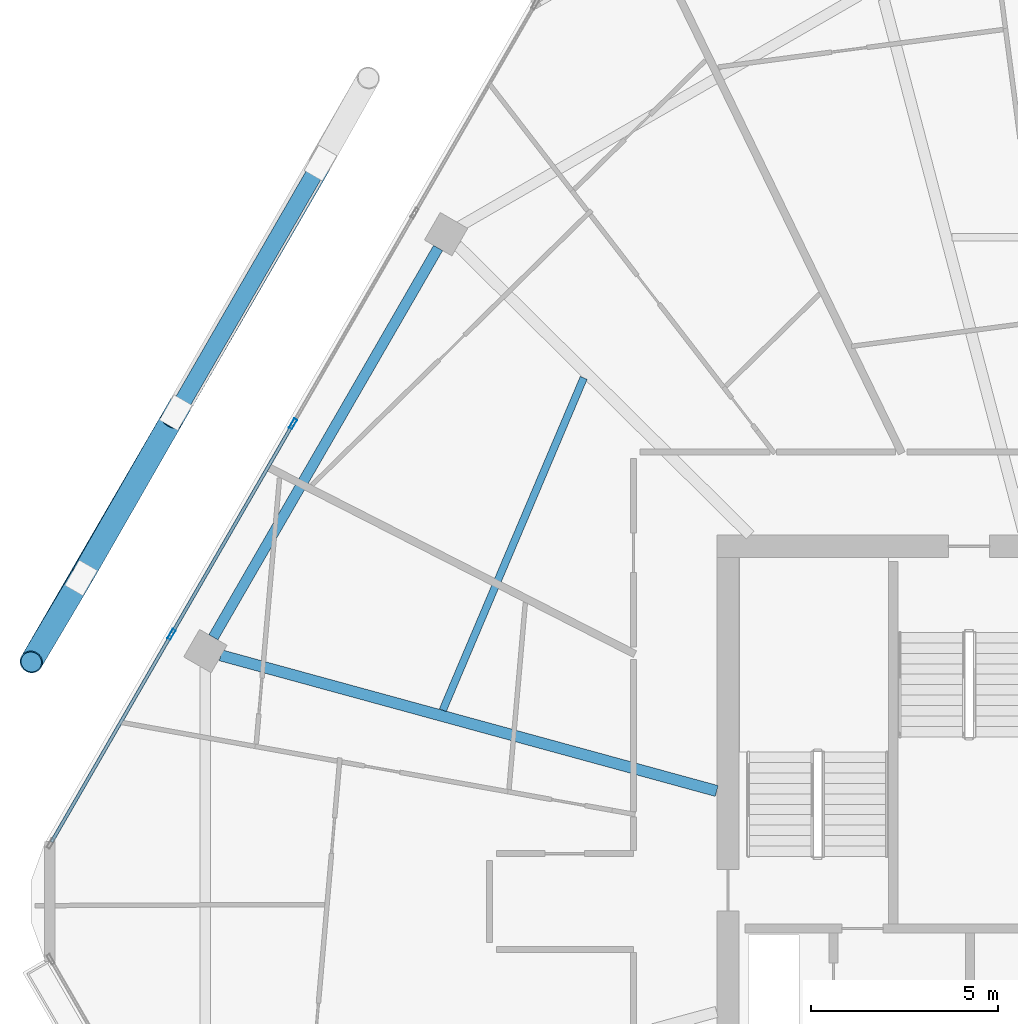
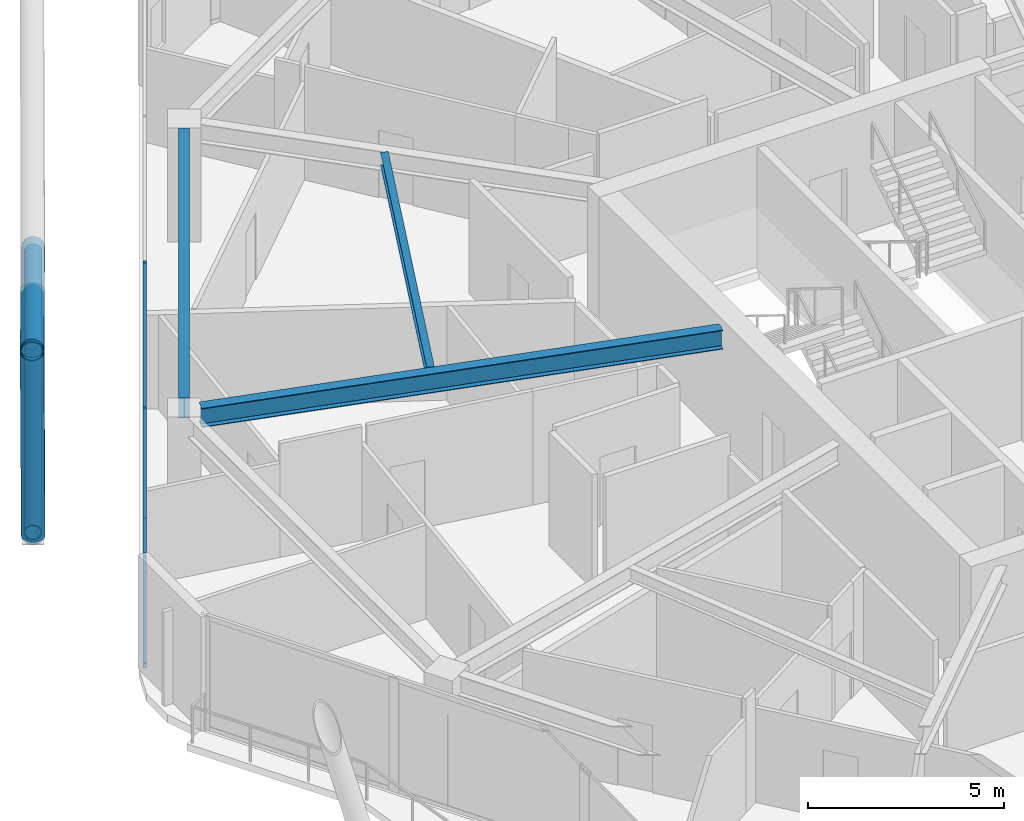
# One storey, part 12 of 28: 10 members, 3 beams, 1 element without a shape of its own.
"""IFC4 building model written with IfcOpenShell, lengths in metres."""

from ifc_helpers import new_model, si_unit, direction, frame, origin, origin_2d, place, context, subcontext, project, spatial, hollow_rectangle, hollow_circle, i_section, extrude, material, material_profile, profile_set, type_object, element, aggregate, save


model = new_model("IFC4")

# Units and contexts
model_context = context("Model", 3, precision=1e-05, world=origin(), true_north=direction((0.0, 1.0)))
body_context = subcontext(model_context, "Body", "Model", "MODEL_VIEW")
ifc_project = project(units=[si_unit("LENGTHUNIT", "METRE"), si_unit("AREAUNIT", "SQUARE_METRE"), si_unit("VOLUMEUNIT", "CUBIC_METRE"), si_unit("PLANEANGLEUNIT", "RADIAN"), si_unit("MASSUNIT", "GRAM", prefix="KILO")], contexts=[model_context])

# Site, building, storey
site_placement = place(None, origin())
site = spatial("IfcSite", under=ifc_project, at=site_placement, CompositionType="ELEMENT")
building_placement = place(site_placement, origin())
building = spatial("IfcBuilding", under=site, at=building_placement, Name="Zuhravey Tower", CompositionType="ELEMENT")
storey_placement = place(building_placement, frame((0.0, 0.0, 284.39990234375)))
storey = spatial("IfcBuildingStorey", under=building, at=storey_placement, Name="L72", CompositionType="ELEMENT", Elevation=284.39990234375)

# Curtain wall, members
ifc_material_1 = material(Name="Thermally broken anodised aluminium", Category="aluminium")
curtain_wall_type = type_object("IfcCurtainWallType", Name="Zone 3-4 High-Rise Curtain Wall CW4", PredefinedType="NOTDEFINED", material=ifc_material_1)
curtain_wall_placement = place(storey_placement, origin())
curtain_wall = element("IfcCurtainWall", 1, at=curtain_wall_placement, inside=storey, type_object=curtain_wall_type, Name="L72 CW4 CW-L72-F3-1", PredefinedType="NOTDEFINED")
ifc_material_2 = material(Name="Anodised aluminium", Category="aluminium")
ifc_material_profile_1 = material_profile(ifc_material_2, hollow_rectangle(XDim=0.090087890625, YDim=0.284912109375, WallThickness=0.0048828125, at=origin_2d()), Name="ALU-RHS-90x285x5")
ifc_profile_set_1 = profile_set([ifc_material_profile_1], Name="Anodised aluminium")
member_type_1 = type_object("IfcMemberType", Name="Curtain-Wall Mullion 90x180", PredefinedType="MULLION", material=ifc_profile_set_1)
member_1_placement = place(storey_placement, frame((10.608154296875, 39.147216796875, 0.0), z_axis=(0.0, 0.0, 1.0), x_axis=(-0.866024851021, 0.500000957414, 0.0)))
member_1 = element("IfcMember", 2, at=member_1_placement, type_object=member_type_1, Name="CW4 mullion 2", PredefinedType="MULLION", context=body_context, shape_type="SweptSolid", body=[
    extrude(hollow_rectangle(XDim=0.090087890625, YDim=0.284912109375, WallThickness=0.0048828125, at=origin_2d()), origin(), (0.0, 0.0, 1.0), 3.550048828125),
])
member_2_placement = place(storey_placement, frame((13.861328125, 44.78173828125, 0.0), z_axis=(0.0, 0.0, 1.0), x_axis=(-0.866024851021, 0.500000957414, 0.0)))
member_2 = element("IfcMember", 3, at=member_2_placement, type_object=member_type_1, Name="CW4 mullion 3", PredefinedType="MULLION", context=body_context, shape_type="SweptSolid", body=[
    extrude(hollow_rectangle(XDim=0.090087890625, YDim=0.284912109375, WallThickness=0.0048828125, at=origin_2d()), origin(), (0.0, 0.0, 1.0), 3.550048828125),
])
ifc_material_profile_2 = material_profile(ifc_material_2, hollow_rectangle(XDim=0.090087890625, YDim=0.14990234375, WallThickness=0.0048828125, at=origin_2d()), Name="ALU-RHS-90x150x5")
ifc_profile_set_2 = profile_set([ifc_material_profile_2], Name="Anodised aluminium")
member_type_2 = type_object("IfcMemberType", Name="Curtain-Wall Transom 90x150", PredefinedType="USERDEFINED", material=ifc_profile_set_2)
member_3_placement = place(storey_placement, frame((7.39990234375, 33.59033203125, 0.045166015625), z_axis=(0.500008810174, 0.866020317169, 0.0), x_axis=(-0.866020317169, 0.500008810174, 0.0)))
member_3 = element("IfcMember", 4, at=member_3_placement, type_object=member_type_2, Name="CW4 transom 1.1", ObjectType="TRANSOM", PredefinedType="USERDEFINED", context=body_context, shape_type="SweptSolid", body=[
    extrude(hollow_rectangle(XDim=0.090087890625, YDim=0.14990234375, WallThickness=0.0048828125, at=origin_2d()), origin(), (0.0, 0.0, 1.0), 6.37158203125),
])
member_4_placement = place(storey_placement, frame((7.39990234375, 33.59033203125, 3.505126953125), z_axis=(0.500008810174, 0.866020317169, 0.0), x_axis=(-0.866020317169, 0.500008810174, 0.0)))
member_4 = element("IfcMember", 5, at=member_4_placement, type_object=member_type_2, Name="CW4 transom 1.2", ObjectType="TRANSOM", PredefinedType="USERDEFINED", context=body_context, shape_type="SweptSolid", body=[
    extrude(hollow_rectangle(XDim=0.090087890625, YDim=0.14990234375, WallThickness=0.0048828125, at=origin_2d()), origin(), (0.0, 0.0, 1.0), 6.37158203125),
])
member_5_placement = place(storey_placement, frame((10.630615234375, 39.18603515625, 0.045166015625), z_axis=(0.499998017366, 0.866026548456, 0.0), x_axis=(-0.866026548456, 0.499998017366, 0.0)))
member_5 = element("IfcMember", 6, at=member_5_placement, type_object=member_type_2, Name="CW4 transom 2.1", ObjectType="TRANSOM", PredefinedType="USERDEFINED", context=body_context, shape_type="SweptSolid", body=[
    extrude(hollow_rectangle(XDim=0.090087890625, YDim=0.14990234375, WallThickness=0.0048828125, at=origin_2d()), origin(), (0.0, 0.0, 1.0), 6.41650390625),
])
member_6_placement = place(storey_placement, frame((10.630615234375, 39.18603515625, 3.505126953125), z_axis=(0.499998017366, 0.866026548456, 0.0), x_axis=(-0.866026548456, 0.499998017366, 0.0)))
member_6 = element("IfcMember", 7, at=member_6_placement, type_object=member_type_2, Name="CW4 transom 2.2", ObjectType="TRANSOM", PredefinedType="USERDEFINED", context=body_context, shape_type="SweptSolid", body=[
    extrude(hollow_rectangle(XDim=0.090087890625, YDim=0.14990234375, WallThickness=0.0048828125, at=origin_2d()), origin(), (0.0, 0.0, 1.0), 6.41650390625),
])
aggregate(curtain_wall, [member_1, member_2, member_3, member_4, member_5, member_6])

# Members
ifc_material_3 = material(Name="Steel SM355", Category="steel")
ifc_material_profile_3 = material_profile(ifc_material_3, hollow_circle(Radius=0.228515625, WallThickness=0.02197265625, at=origin_2d()), Name="CHS-457.2x22")
ifc_profile_set_3 = profile_set([ifc_material_profile_3], Name="Steel SM355")
member_type_3 = type_object("IfcMemberType", Name="Exoskeleton Ring Tie CHS457x22", PredefinedType="CHORD", material=ifc_profile_set_3)
member_7_placement = place(storey_placement, frame((14.52685546875, 51.634765625, -0.4638671875), z_axis=(-0.499993323494, -0.866029258433, 0.0), x_axis=(0.866029258433, -0.499993323494, 0.0)))
element("IfcMember", 8, at=member_7_placement, inside=storey, type_object=member_type_3, Name="L72 Exoskeleton Face 3 Tie EXR1", PredefinedType="CHORD", context=body_context, shape_type="SweptSolid", body=[
    extrude(hollow_circle(Radius=0.228515625, WallThickness=0.02197265625, at=origin_2d()), origin(), (0.0, 0.0, 1.0), 12.535400390625),
])
ifc_material_profile_4 = material_profile(ifc_material_3, hollow_circle(Radius=0.3046875, WallThickness=0.028076171875, at=origin_2d()), Name="CHS-609.6x28")
ifc_profile_set_4 = profile_set([ifc_material_profile_4], Name="Steel SM355")
member_type_4 = type_object("IfcMemberType", Name="Exoskeleton Zone 3 Diagrid CHS610x28", PredefinedType="BRACE", material=ifc_profile_set_4)
member_8_placement = place(storey_placement, frame((14.57861328125, 51.724365234375, -0.44580078125), z_axis=(-0.450096686976, -0.776089238507, 0.441699520316), x_axis=(0.865048154504, -0.501688838214, 0.0)))
element("IfcMember", 9, at=member_8_placement, inside=storey, type_object=member_type_4, Name="L72 Face 3 Diagrid Brace 2", PredefinedType="BRACE", context=body_context, shape_type="SweptSolid", body=[
    extrude(hollow_circle(Radius=0.3046875, WallThickness=0.028076171875, at=origin_2d()), origin(), (0.0, 0.0, 1.0), 17.124755859375),
])
member_9_placement = place(storey_placement, frame((8.18603515625, 40.65234375, -0.44580078125), z_axis=(-0.166263547493, -0.280502989926, 0.945343591197), x_axis=(0.860238328743, -0.509892162876, 0.0)))
element("IfcMember", 10, at=member_9_placement, inside=storey, type_object=member_type_4, Name="L72 Face 3 Diagrid Brace 4", PredefinedType="BRACE", context=body_context, shape_type="SweptSolid", body=[
    extrude(hollow_circle(Radius=0.3046875, WallThickness=0.028076171875, at=origin_2d()), origin(), (0.0, 0.0, 1.0), 8.001220703125),
])
member_10_placement = place(storey_placement, frame((8.20556640625, 40.68603515625, -0.439453125), z_axis=(0.398827318231, 0.695484783667, 0.597693638849), x_axis=(-0.86748591047, 0.497461752436, 0.0)))
element("IfcMember", 11, at=member_10_placement, inside=storey, type_object=member_type_4, Name="L72 Face 3 Split Diagrid Brace 3A", PredefinedType="BRACE", context=body_context, shape_type="SweptSolid", body=[
    extrude(hollow_circle(Radius=0.3046875, WallThickness=0.028076171875, at=origin_2d()), origin(), (0.0, 0.0, 1.0), 6.021728515625),
])

# Beams
ifc_material_profile_5 = material_profile(ifc_material_3, i_section(OverallWidth=0.280029296875, OverallDepth=0.6201171875, WebThickness=0.011962890625, FlangeThickness=0.02001953125, at=origin_2d()), Name="H-620x280x12x20")
ifc_profile_set_5 = profile_set([ifc_material_profile_5], Name="Steel SM355")
beam_type_1 = type_object("IfcBeamType", Name="Perimeter Ring Beam H620x280", PredefinedType="BEAM", material=ifc_profile_set_5)
beam_1_placement = place(storey_placement, frame((17.742431640625, 49.484130859375, 3.239990234375), z_axis=(-0.500005971936, -0.866021955858, 0.0), x_axis=(0.866021955858, -0.500005971936, 0.0)))
element("IfcBeam", 12, at=beam_1_placement, inside=storey, type_object=beam_type_1, Name="L72 PB3 BM-L72-PB-05", PredefinedType="BEAM", context=body_context, shape_type="SweptSolid", body=[
    extrude(i_section(OverallWidth=0.280029296875, OverallDepth=0.6201171875, WebThickness=0.011962890625, FlangeThickness=0.02001953125, at=origin_2d()), origin(), (0.0, 0.0, 1.0), 12.025634765625),
])
ifc_material_profile_6 = material_profile(ifc_material_3, i_section(OverallWidth=0.300048828125, OverallDepth=0.60009765625, WebThickness=0.011962890625, FlangeThickness=0.02001953125, at=origin_2d()), Name="H-600x300x12x20")
ifc_profile_set_6 = profile_set([ifc_material_profile_6], Name="Steel SM355")
beam_type_2 = type_object("IfcBeamType", Name="Radial Primary Girder H600x300", PredefinedType="BEAM", material=ifc_profile_set_6)
beam_2_placement = place(storey_placement, frame((25.197021484375, 34.95556640625, 3.25), z_axis=(-0.964549305009, 0.263902705947, 0.0), x_axis=(-0.263902705947, -0.964549305009, 0.0)))
element("IfcBeam", 13, at=beam_2_placement, inside=storey, type_object=beam_type_2, Name="L72 RG3 BM-L72-RAD-06", PredefinedType="BEAM", context=body_context, shape_type="SweptSolid", body=[
    extrude(i_section(OverallWidth=0.300048828125, OverallDepth=0.60009765625, WebThickness=0.011962890625, FlangeThickness=0.02001953125, at=origin_2d()), origin(), (0.0, 0.0, 1.0), 13.756591796875),
])
ifc_material_profile_7 = material_profile(ifc_material_3, i_section(OverallWidth=0.199951171875, OverallDepth=0.39990234375, WebThickness=0.008056640625, FlangeThickness=0.012939453125, at=origin_2d()), Name="H-400x200x8x13")
ifc_profile_set_7 = profile_set([ifc_material_profile_7], Name="Steel SM355")
beam_type_3 = type_object("IfcBeamType", Name="Secondary Floor Joist H400x200", PredefinedType="JOIST", material=ifc_profile_set_7)
beam_3_placement = place(storey_placement, frame((21.63916015625, 46.009033203125, 3.35009765625), z_axis=(-0.390413493754, -0.920639616731, 0.0), x_axis=(0.920639616731, -0.390413493754, 0.0)))
element("IfcBeam", 14, at=beam_3_placement, inside=storey, type_object=beam_type_3, Name="L72 SJ2 BM-L72-SJ-05-1", PredefinedType="JOIST", context=body_context, shape_type="SweptSolid", body=[
    extrude(i_section(OverallWidth=0.199951171875, OverallDepth=0.39990234375, WebThickness=0.008056640625, FlangeThickness=0.012939453125, at=origin_2d()), origin(), (0.0, 0.0, 1.0), 9.656494140625),
])

save(model, "model.ifc")
